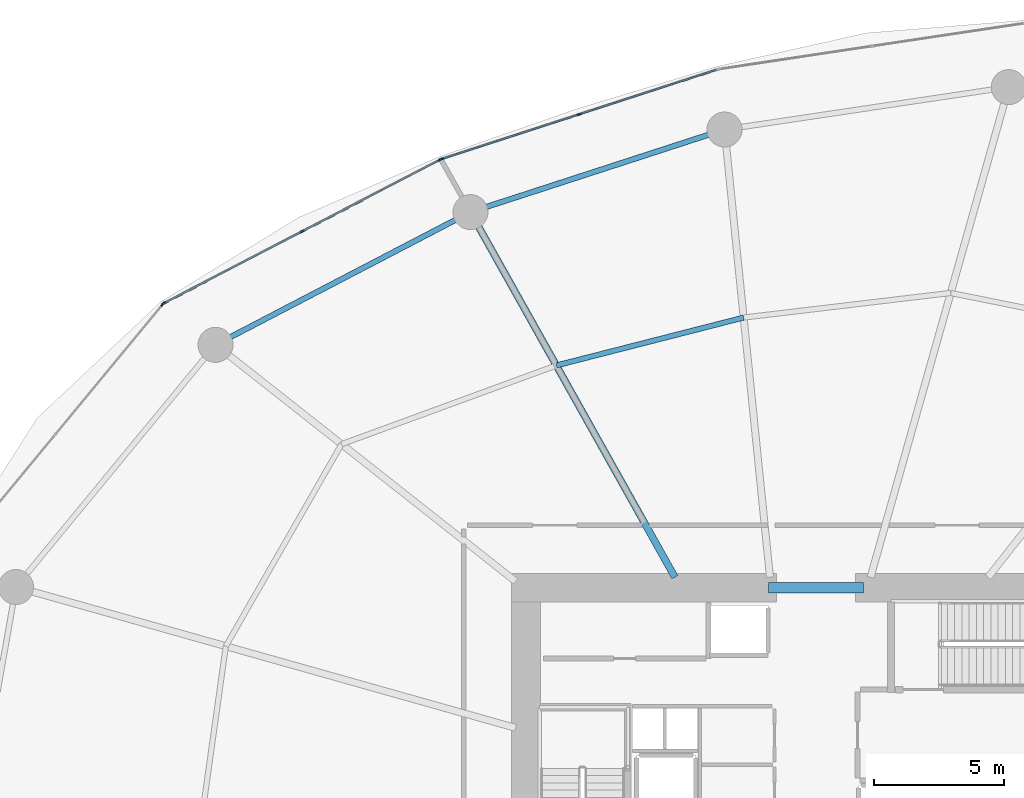
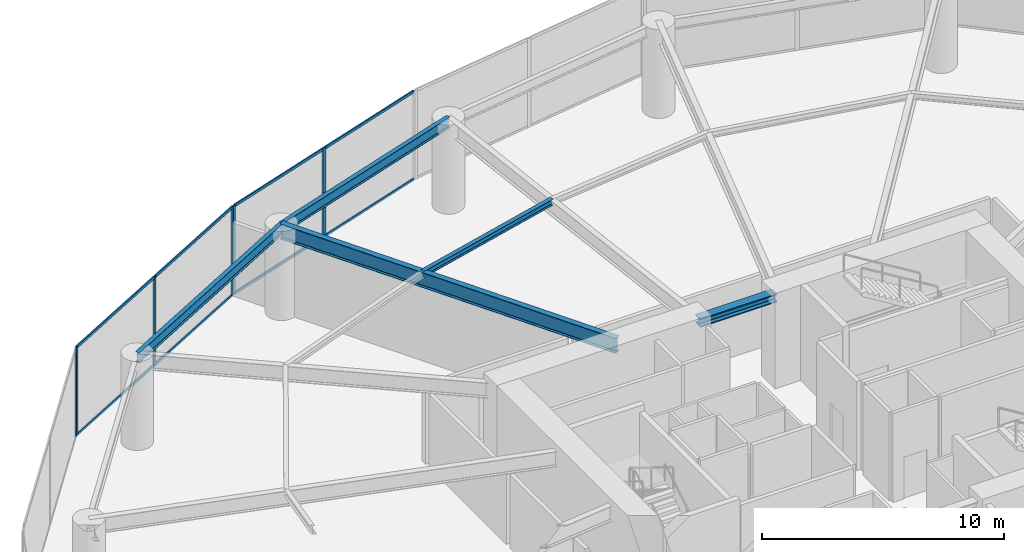
# One storey, part 13 of 22: 14 members, 5 beams, 3 elements without a shape of their own.
"""IFC4 building model written with IfcOpenShell, lengths in metres."""

from ifc_helpers import new_model, si_unit, direction, frame, origin, origin_2d, place, context, subcontext, project, spatial, rectangle, i_section, extrude, material, layer, layer_set, material_profile, profile_set, type_object, element, aggregate, save


model = new_model("IFC4")

# Units and contexts
model_context = context("Model", 3, precision=1e-05, world=origin(), true_north=direction((0.0, 1.0)))
body_context = subcontext(model_context, "Body", "Model", "MODEL_VIEW")
ifc_project = project(units=[si_unit("LENGTHUNIT", "METRE"), si_unit("AREAUNIT", "SQUARE_METRE"), si_unit("VOLUMEUNIT", "CUBIC_METRE"), si_unit("PLANEANGLEUNIT", "RADIAN"), si_unit("MASSUNIT", "GRAM", prefix="KILO")], contexts=[model_context])

# Site, building, storey
site_placement = place(None, origin())
site = spatial("IfcSite", under=ifc_project, at=site_placement, CompositionType="ELEMENT")
building_placement = place(site_placement, origin())
building = spatial("IfcBuilding", under=site, at=building_placement, Name="Kazma Halo Residences", CompositionType="ELEMENT")
storey_placement = place(building_placement, frame((0.0, 0.0, 12.0)))
storey = spatial("IfcBuildingStorey", under=building, at=storey_placement, Name="L02", CompositionType="ELEMENT", Elevation=12.0)

# Beams
ifc_material_1 = material(Name="Steel S355", Category="steel")
ifc_material_profile_1 = material_profile(ifc_material_1, i_section(OverallWidth=0.408935546875, OverallDepth=0.425048828125, WebThickness=0.03271484375, FlangeThickness=0.052490234375, FilletRadius=0.02001953125, at=origin_2d()), Name="W360x421")
ifc_profile_set_1 = profile_set([ifc_material_profile_1], Name="Steel S355")
beam_type_1 = type_object("IfcBeamType", Name="BM-CORE-W360H", PredefinedType="BEAM", material=ifc_profile_set_1)
beam_1_placement = place(storey_placement, frame((46.60009765625, 50.550048828125, 4.267578125), z_axis=(1.0, 0.0, 0.0), x_axis=(0.0, 1.0, 0.0)))
element("IfcBeam", 1, at=beam_1_placement, inside=storey, type_object=beam_type_1, Name="L02 core coupling beam N", PredefinedType="BEAM", context=body_context, shape_type="SweptSolid", body=[
    extrude(i_section(OverallWidth=0.408935546875, OverallDepth=0.425048828125, WebThickness=0.03271484375, FlangeThickness=0.052490234375, FilletRadius=0.02001953125, at=origin_2d()), origin(), (0.0, 0.0, 1.0), 3.64990234375),
])
ifc_material_profile_2 = material_profile(ifc_material_1, i_section(OverallWidth=0.26708984375, OverallDepth=0.761962890625, WebThickness=0.014404296875, FlangeThickness=0.021484375, FilletRadius=0.02001953125, at=origin_2d()), Name="W760x173")
ifc_profile_set_2 = profile_set([ifc_material_profile_2], Name="Steel S355")
beam_type_2 = type_object("IfcBeamType", Name="BM-POD-W760", PredefinedType="BEAM", material=ifc_profile_set_2)
beam_2_placement = place(storey_placement, frame((42.98779296875, 50.949951171875, 4.09912109375), z_axis=(-0.488623198121, 0.872494911308, 0.0), x_axis=(-0.872494911308, -0.488623198121, 0.0)))
element("IfcBeam", 2, at=beam_2_placement, inside=storey, type_object=beam_type_2, Name="L02 radial floor beam 05", PredefinedType="BEAM", context=body_context, shape_type="SweptSolid", body=[
    extrude(i_section(OverallWidth=0.26708984375, OverallDepth=0.761962890625, WebThickness=0.014404296875, FlangeThickness=0.021484375, FilletRadius=0.02001953125, at=origin_2d()), origin(), (0.0, 0.0, 1.0), 16.12109375),
])
ifc_material_profile_3 = material_profile(ifc_material_1, i_section(OverallWidth=0.202880859375, OverallDepth=0.302978515625, WebThickness=0.007568359375, FlangeThickness=0.01318359375, FilletRadius=0.013916015625, at=origin_2d()), Name="W310x60")
ifc_profile_set_3 = profile_set([ifc_material_profile_3], Name="Steel S355")
beam_type_3 = type_object("IfcBeamType", Name="BM-SEC-W310A", PredefinedType="JOIST", material=ifc_profile_set_3)
beam_3_placement = place(storey_placement, frame((45.634765625, 60.95263671875, 4.32861328125), z_axis=(-0.968838753185, -0.247692289598, 0.0), x_axis=(0.247692289598, -0.968838753185, 0.0)))
element("IfcBeam", 3, at=beam_3_placement, inside=storey, type_object=beam_type_3, Name="L02 circumferential floor joist 04", PredefinedType="JOIST", context=body_context, shape_type="SweptSolid", body=[
    extrude(i_section(OverallWidth=0.202880859375, OverallDepth=0.302978515625, WebThickness=0.007568359375, FlangeThickness=0.01318359375, FilletRadius=0.013916015625, at=origin_2d()), origin(), (0.0, 0.0, 1.0), 7.44775390625),
])
ifc_material_profile_4 = material_profile(ifc_material_1, i_section(OverallWidth=0.208984375, OverallDepth=0.532958984375, WebThickness=0.01025390625, FlangeThickness=0.015625, FilletRadius=0.01611328125, at=origin_2d()), Name="W530x92")
ifc_profile_set_4 = profile_set([ifc_material_profile_4], Name="Steel S355")
beam_type_4 = type_object("IfcBeamType", Name="BM-SPN-W530", PredefinedType="BEAM", material=ifc_profile_set_4)
beam_4_placement = place(storey_placement, frame((44.8994140625, 68.196044921875, 4.21337890625), z_axis=(-0.951061083857, -0.309002936511, 0.0), x_axis=(0.309002936511, -0.951061083857, 0.0)))
element("IfcBeam", 4, at=beam_4_placement, inside=storey, type_object=beam_type_4, Name="L02 perimeter ring beam 04", PredefinedType="BEAM", context=body_context, shape_type="SweptSolid", body=[
    extrude(i_section(OverallWidth=0.208984375, OverallDepth=0.532958984375, WebThickness=0.01025390625, FlangeThickness=0.015625, FilletRadius=0.01611328125, at=origin_2d()), origin(), (0.0, 0.0, 1.0), 10.29248046875),
])
beam_5_placement = place(storey_placement, frame((35.110595703125, 65.015625, 4.21337890625), z_axis=(-0.886954171981, -0.461857442082, 0.0), x_axis=(0.461857442082, -0.886954171981, 0.0)))
element("IfcBeam", 5, at=beam_5_placement, inside=storey, type_object=beam_type_4, Name="L02 perimeter ring beam 05", PredefinedType="BEAM", context=body_context, shape_type="SweptSolid", body=[
    extrude(i_section(OverallWidth=0.208984375, OverallDepth=0.532958984375, WebThickness=0.01025390625, FlangeThickness=0.015625, FilletRadius=0.01611328125, at=origin_2d()), origin(), (0.0, 0.0, 1.0), 11.071044921875),
])

# Curtain wall, members
ifc_material_2 = material(Name="Aluminium AW-6063 T6 and Triple-Silver Low-E Glass", Category="aluminium")
ifc_layer = layer(ifc_material_2, 0.179931640625)
ifc_layer_set = layer_set([ifc_layer], Name="Aluminium AW-6063 T6 and Triple-Silver Low-E Glass")
curtain_wall_type = type_object("IfcCurtainWallType", Name="CW-SYS-1", PredefinedType="NOTDEFINED", material=ifc_layer_set)
curtain_wall_1_placement = place(storey_placement, origin())
curtain_wall_1 = element("IfcCurtainWall", 6, at=curtain_wall_1_placement, inside=storey, type_object=curtain_wall_type, Name="L02 unitised curtain wall B04", PredefinedType="NOTDEFINED")
ifc_material_3 = material(Name="Aluminium AW-6063 T6", Category="aluminium")
ifc_material_profile_5 = material_profile(ifc_material_3, rectangle(XDim=0.06494140625, YDim=0.179931640625, at=origin_2d()), Name="CWM-65x180")
ifc_profile_set_5 = profile_set([ifc_material_profile_5], Name="Aluminium AW-6063 T6")
member_type_1 = type_object("IfcMemberType", Name="CW-SYS-1-MUL", PredefinedType="MULLION", material=ifc_profile_set_5)
member_1_placement = place(storey_placement, frame((39.298828125, 68.77978515625, 0.0), z_axis=(0.0, 0.0, 1.0), x_axis=(0.309017239211, -0.951056436743, 0.0)))
member_1 = element("IfcMember", 7, at=member_1_placement, type_object=member_type_1, Name="CWS-1 mullion 2", PredefinedType="MULLION", context=body_context, shape_type="SweptSolid", body=[
    extrude(rectangle(XDim=0.06494140625, YDim=0.179931640625, at=origin_2d()), origin(), (0.0, 0.0, 1.0), 4.47998046875),
])
member_2_placement = place(storey_placement, frame((34.0029296875, 67.058837890625, 0.0), z_axis=(0.0, 0.0, 1.0), x_axis=(0.309017239211, -0.951056436743, 0.0)))
member_2 = element("IfcMember", 8, at=member_2_placement, type_object=member_type_1, Name="CWS-1 mullion 3", PredefinedType="MULLION", context=body_context, shape_type="SweptSolid", body=[
    extrude(rectangle(XDim=0.06494140625, YDim=0.179931640625, at=origin_2d()), origin(), (0.0, 0.0, 1.0), 4.47998046875),
])

curtain_wall_2_placement = place(storey_placement, origin())
curtain_wall_2 = element("IfcCurtainWall", 9, at=curtain_wall_2_placement, inside=storey, type_object=curtain_wall_type, Name="L02 unitised curtain wall B05", PredefinedType="NOTDEFINED")
member_3_placement = place(storey_placement, frame((33.943115234375, 67.033935546875, 0.0), z_axis=(0.0, 0.0, 1.0), x_axis=(0.46108680311, -0.887355036047, 0.0)))
member_3 = element("IfcMember", 10, at=member_3_placement, type_object=member_type_1, Name="CWS-1 mullion 1", PredefinedType="MULLION", context=body_context, shape_type="SweptSolid", body=[
    extrude(rectangle(XDim=0.06494140625, YDim=0.179931640625, at=origin_2d()), origin(), (0.0, 0.0, 1.0), 4.47998046875),
])
member_4_placement = place(storey_placement, frame((28.623779296875, 64.27001953125, 0.0), z_axis=(0.0, 0.0, 1.0), x_axis=(0.46108680311, -0.887355036047, 0.0)))
member_4 = element("IfcMember", 11, at=member_4_placement, type_object=member_type_1, Name="CWS-1 mullion 2", PredefinedType="MULLION", context=body_context, shape_type="SweptSolid", body=[
    extrude(rectangle(XDim=0.06494140625, YDim=0.179931640625, at=origin_2d()), origin(), (0.0, 0.0, 1.0), 4.47998046875),
])
member_5_placement = place(storey_placement, frame((23.3046875, 61.506103515625, 0.0), z_axis=(0.0, 0.0, 1.0), x_axis=(0.46108680311, -0.887355036047, 0.0)))
member_5 = element("IfcMember", 12, at=member_5_placement, type_object=member_type_1, Name="CWS-1 mullion 3", PredefinedType="MULLION", context=body_context, shape_type="SweptSolid", body=[
    extrude(rectangle(XDim=0.06494140625, YDim=0.179931640625, at=origin_2d()), origin(), (0.0, 0.0, 1.0), 4.47998046875),
])

# Curtain wall, member
curtain_wall_3_placement = place(storey_placement, origin())
curtain_wall_3 = element("IfcCurtainWall", 13, at=curtain_wall_3_placement, inside=storey, type_object=curtain_wall_type, Name="L02 unitised curtain wall B06", PredefinedType="NOTDEFINED")
member_6_placement = place(storey_placement, frame((23.255126953125, 61.4658203125, 0.0), z_axis=(0.0, 0.0, 1.0), x_axis=(0.771191775002, -0.636602895194, 0.0)))
member_6 = element("IfcMember", 14, at=member_6_placement, type_object=member_type_1, Name="CWS-1 mullion 1", PredefinedType="MULLION", context=body_context, shape_type="SweptSolid", body=[
    extrude(rectangle(XDim=0.06494140625, YDim=0.179931640625, at=origin_2d()), origin(), (0.0, 0.0, 1.0), 4.47998046875),
])
aggregate(curtain_wall_3, [member_6])

# Member
ifc_material_profile_6 = material_profile(ifc_material_3, rectangle(XDim=0.06494140625, YDim=0.135009765625, at=origin_2d()), Name="CWT-65x135")
ifc_profile_set_6 = profile_set([ifc_material_profile_6], Name="Aluminium AW-6063 T6")
member_type_2 = type_object("IfcMemberType", Name="CW-SYS-1-TRN", PredefinedType="USERDEFINED", material=ifc_profile_set_6)
member_7_placement = place(storey_placement, frame((44.563720703125, 70.490478515625, 0.032470703125), z_axis=(-0.951055908328, -0.309018865498, 0.0), x_axis=(0.309018865498, -0.951055908328, 0.0)))
member_7 = element("IfcMember", 15, at=member_7_placement, type_object=member_type_2, Name="CWS-1 transom 1.1", ObjectType="TRANSOM", PredefinedType="USERDEFINED", context=body_context, shape_type="SweptSolid", body=[
    extrude(rectangle(XDim=0.06494140625, YDim=0.135009765625, at=origin_2d()), origin(), (0.0, 0.0, 1.0), 5.50341796875),
])

member_8_placement = place(storey_placement, frame((44.563720703125, 70.490478515625, 4.447509765625), z_axis=(-0.951055908328, -0.309018865498, 0.0), x_axis=(0.309018865498, -0.951055908328, 0.0)))
member_8 = element("IfcMember", 16, at=member_8_placement, type_object=member_type_2, Name="CWS-1 transom 1.2", ObjectType="TRANSOM", PredefinedType="USERDEFINED", context=body_context, shape_type="SweptSolid", body=[
    extrude(rectangle(XDim=0.06494140625, YDim=0.135009765625, at=origin_2d()), origin(), (0.0, 0.0, 1.0), 5.50341796875),
])

member_9_placement = place(storey_placement, frame((39.267822265625, 68.769775390625, 0.032470703125), z_axis=(-0.951055908328, -0.309018865498, 0.0), x_axis=(0.309018865498, -0.951055908328, 0.0)))
member_9 = element("IfcMember", 17, at=member_9_placement, type_object=member_type_2, Name="CWS-1 transom 2.1", ObjectType="TRANSOM", PredefinedType="USERDEFINED", context=body_context, shape_type="SweptSolid", body=[
    extrude(rectangle(XDim=0.06494140625, YDim=0.135009765625, at=origin_2d()), origin(), (0.0, 0.0, 1.0), 5.50341796875),
])

member_10_placement = place(storey_placement, frame((39.267822265625, 68.769775390625, 4.447509765625), z_axis=(-0.951055908328, -0.309018865498, 0.0), x_axis=(0.309018865498, -0.951055908328, 0.0)))
member_10 = element("IfcMember", 18, at=member_10_placement, type_object=member_type_2, Name="CWS-1 transom 2.2", ObjectType="TRANSOM", PredefinedType="USERDEFINED", context=body_context, shape_type="SweptSolid", body=[
    extrude(rectangle(XDim=0.06494140625, YDim=0.135009765625, at=origin_2d()), origin(), (0.0, 0.0, 1.0), 5.50341796875),
])

aggregate(curtain_wall_1, [member_1, member_2, member_7, member_8, member_9, member_10])

member_11_placement = place(storey_placement, frame((33.914306640625, 67.01904296875, 0.032470703125), z_axis=(-0.887352259256, -0.461092146966, 0.0), x_axis=(0.461092146966, -0.887352259256, 0.0)))
member_11 = element("IfcMember", 19, at=member_11_placement, type_object=member_type_2, Name="CWS-1 transom 1.1", ObjectType="TRANSOM", PredefinedType="USERDEFINED", context=body_context, shape_type="SweptSolid", body=[
    extrude(rectangle(XDim=0.06494140625, YDim=0.135009765625, at=origin_2d()), origin(), (0.0, 0.0, 1.0), 5.9296875),
])

member_12_placement = place(storey_placement, frame((33.914306640625, 67.01904296875, 4.447509765625), z_axis=(-0.887352259256, -0.461092146966, 0.0), x_axis=(0.461092146966, -0.887352259256, 0.0)))
member_12 = element("IfcMember", 20, at=member_12_placement, type_object=member_type_2, Name="CWS-1 transom 1.2", ObjectType="TRANSOM", PredefinedType="USERDEFINED", context=body_context, shape_type="SweptSolid", body=[
    extrude(rectangle(XDim=0.06494140625, YDim=0.135009765625, at=origin_2d()), origin(), (0.0, 0.0, 1.0), 5.9296875),
])

member_13_placement = place(storey_placement, frame((28.594970703125, 64.2548828125, 0.032470703125), z_axis=(-0.887360351848, -0.461076572781, 0.0), x_axis=(0.461076572781, -0.887360351848, 0.0)))
member_13 = element("IfcMember", 21, at=member_13_placement, type_object=member_type_2, Name="CWS-1 transom 2.1", ObjectType="TRANSOM", PredefinedType="USERDEFINED", context=body_context, shape_type="SweptSolid", body=[
    extrude(rectangle(XDim=0.06494140625, YDim=0.135009765625, at=origin_2d()), origin(), (0.0, 0.0, 1.0), 5.929443359375),
])

member_14_placement = place(storey_placement, frame((28.594970703125, 64.2548828125, 4.447509765625), z_axis=(-0.887360351848, -0.461076572781, 0.0), x_axis=(0.461076572781, -0.887360351848, 0.0)))
member_14 = element("IfcMember", 22, at=member_14_placement, type_object=member_type_2, Name="CWS-1 transom 2.2", ObjectType="TRANSOM", PredefinedType="USERDEFINED", context=body_context, shape_type="SweptSolid", body=[
    extrude(rectangle(XDim=0.06494140625, YDim=0.135009765625, at=origin_2d()), origin(), (0.0, 0.0, 1.0), 5.929443359375),
])

aggregate(curtain_wall_2, [member_3, member_4, member_5, member_11, member_12, member_13, member_14])

save(model, "model.ifc")
